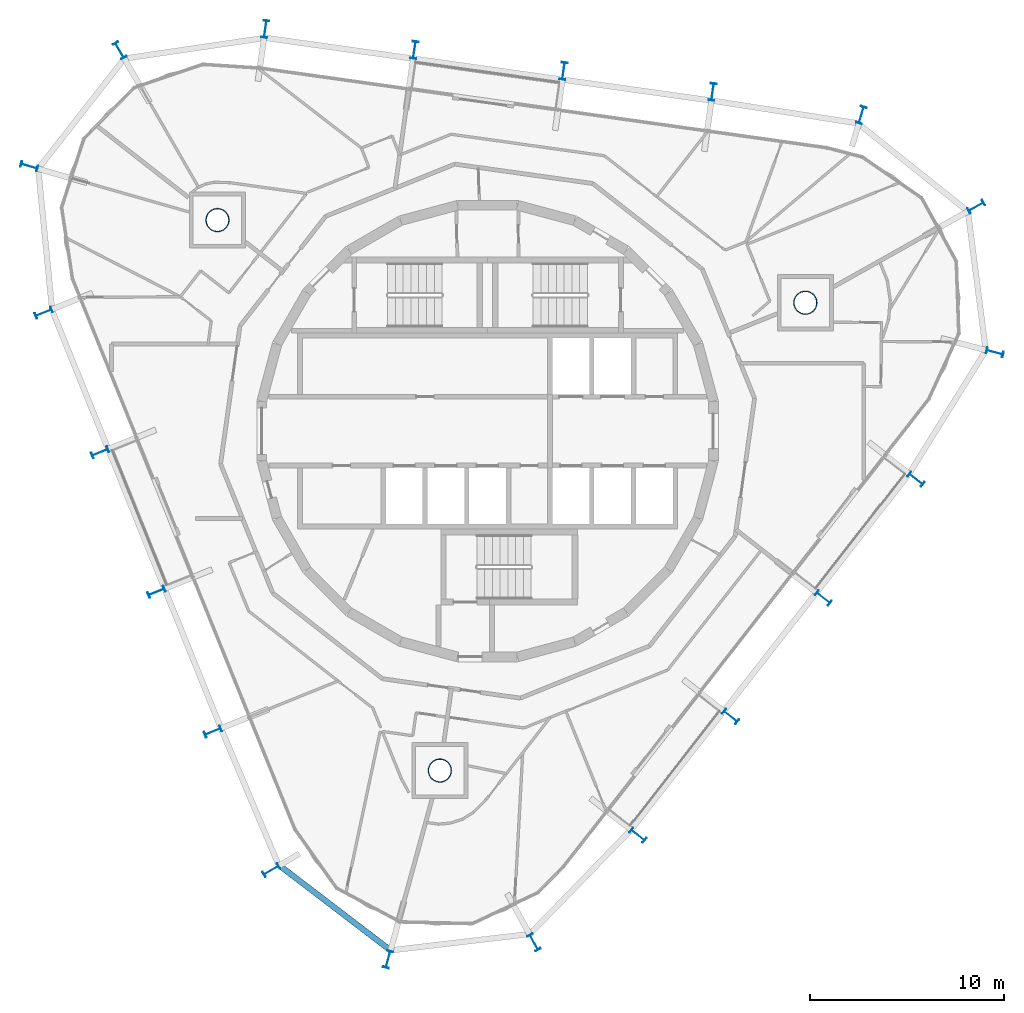
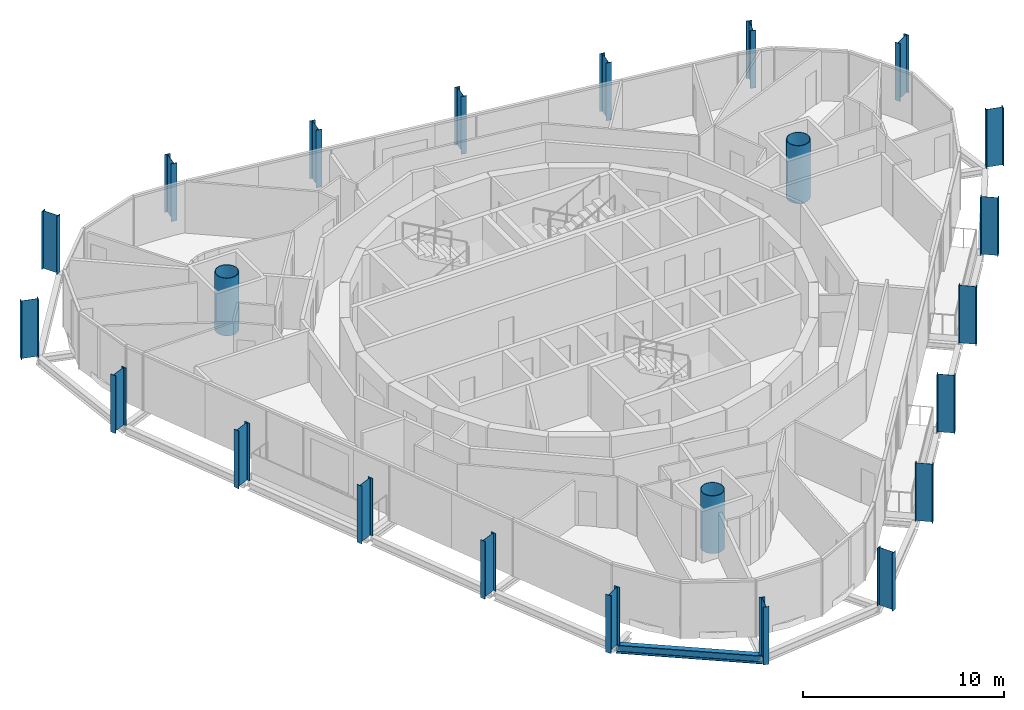
# One storey, part 1 of 15: 23 columns, 1 beam.
"""IFC4 building model written with IfcOpenShell, lengths in metres."""

from ifc_helpers import new_model, si_unit, direction, frame, origin, origin_2d, place, context, subcontext, project, spatial, hollow_circle, i_section, extrude, material, material_profile, profile_set, type_object, element, save


model = new_model("IFC4")

# Units and contexts
model_context = context("Model", 3, precision=1e-05, world=origin(), true_north=direction((0.0, 1.0)))
body_context = subcontext(model_context, "Body", "Model", "MODEL_VIEW")
ifc_project = project(units=[si_unit("LENGTHUNIT", "METRE"), si_unit("AREAUNIT", "SQUARE_METRE"), si_unit("VOLUMEUNIT", "CUBIC_METRE"), si_unit("PLANEANGLEUNIT", "RADIAN"), si_unit("MASSUNIT", "GRAM", prefix="KILO")], contexts=[model_context])

# Site, building, storey
site_placement = place(None, origin())
site = spatial("IfcSite", under=ifc_project, at=site_placement, CompositionType="ELEMENT")
building_placement = place(site_placement, origin())
building = spatial("IfcBuilding", under=site, at=building_placement, Name="Spindle Arch Residences", CompositionType="ELEMENT")
storey_placement = place(building_placement, frame((0.0, 0.0, 354.0)))
storey = spatial("IfcBuildingStorey", under=building, at=storey_placement, Name="L91", CompositionType="ELEMENT", Elevation=354.0)

# Columns
ifc_material_1 = material(Name="Steel S460ML, intumescent coating R 240", Category="steel")
ifc_material_profile_1 = material_profile(ifc_material_1, i_section(OverallWidth=0.300048828125, OverallDepth=0.89990234375, WebThickness=0.0185546875, FlangeThickness=0.034912109375, FilletRadius=0.030029296875, at=origin_2d()), Name="HEB 900")
ifc_profile_set_1 = profile_set([ifc_material_profile_1], Name="Steel S460ML, intumescent coating R 240")
column_type_1 = type_object("IfcColumnType", Name="Exoskeleton post HEB 900", PredefinedType="COLUMN", material=ifc_profile_set_1)
for number, where, z_axis, x_axis, name in (
    (1, (17.314208984375, -8.60009765625, -0.3798828125), (0.0, 0.0, 1.0), (-0.615661060634, -0.788011077599, 0.0), "Exoskeleton post 1"),
    (2, (22.09521484375, -2.480712890625, -0.3798828125), (0.0, 0.0, 1.0), (-0.615661060634, -0.788011077599, 0.0), "Exoskeleton post 2"),
    (3, (26.15869140625, 4.05712890625, -0.3798828125), (0.0, 0.0, 1.0), (-0.253940928912, -0.967219729236, 0.0), "Exoskeleton post 3"),
    (4, (25.19384765625, 11.571044921875, -0.3798828125), (0.0, 0.0, 1.0), (0.490023975195, -0.871708955865, 0.0), "Exoskeleton post 4"),
    (5, (19.27587890625, 16.30078125, -0.3798828125), (0.0, 0.0, 1.0), (0.958298489612, -0.285769146005, 0.0), "Exoskeleton post 5"),
    (6, (11.607421875, 17.4931640625, -0.3798828125), (0.0, 0.0, 1.0), (0.990268081324, -0.139173011432, 0.0), "Exoskeleton post 6"),
    (7, (3.91748046875, 18.573974609375, -0.3798828125), (0.0, 0.0, 1.0), (0.990268081324, -0.139173011432, 0.0), "Exoskeleton post 7"),
    (8, (-3.772705078125, 19.65478515625, -0.3798828125), (0.0, 0.0, 1.0), (0.990268081324, -0.139173011432, 0.0), "Exoskeleton post 8"),
    (9, (-11.462646484375, 20.735595703125, -0.3798828125), (0.0, 0.0, 1.0), (0.990268081324, -0.139173011432, 0.0), "Exoskeleton post 9"),
    (10, (-18.9755859375, 19.632080078125, -0.3798828125), (0.0, 0.0, 1.0), (0.866256848037, 0.499598912358, 0.0), "Exoskeleton post 10"),
    (11, (-23.6396484375, 13.662353515625, -0.3798828125), (0.0, 0.0, 1.0), (0.275193000466, 0.96138900165, 0.0), "Exoskeleton post 11"),
    (12, (-22.892578125, 6.105712890625, -0.3798828125), (0.0, 0.0, 1.0), (-0.374606892434, 0.927183733755, 0.0), "Exoskeleton post 12"),
    (13, (-19.983642578125, -1.094482421875, -0.3798828125), (0.0, 0.0, 1.0), (-0.374606892434, 0.927183733755, 0.0), "Exoskeleton post 13"),
    (14, (-17.07470703125, -8.29443359375, -0.3798828125), (0.0, 0.0, 1.0), (-0.374606892434, 0.927183733755, 0.0), "Exoskeleton post 14"),
    (15, (-14.16552734375, -15.49462890625, -0.3798828125), (0.0, 0.0, 1.0), (-0.374606892434, 0.927183733755, 0.0), "Exoskeleton post 15"),
    (16, (-11.1533203125, -22.64697265625, -0.3798828125), (0.0, 0.0, 1.0), (-0.509114042361, 0.86069907161, 0.0), "Exoskeleton post 16"),
    (17, (-5.13232421875, -27.244873046875, -0.3798828125), (0.0, 0.0, 1.0), (-0.964362923017, 0.264582978873, 0.0), "Exoskeleton post 17"),
    (18, (2.391845703125, -26.363037109375, -0.3798828125), (0.0, 0.0, 1.0), (-0.877055410309, -0.480389224741, 0.0), "Exoskeleton post 18"),
    (19, (7.752197265625, -20.838623046875, -0.3798828125), (0.0, 0.0, 1.0), (-0.615661060634, -0.788011077599, 0.0), "Exoskeleton post 19"),
    (20, (12.533203125, -14.71923828125, -0.3798828125), (0.0, 0.0, 1.0), (-0.615661060634, -0.788011077599, 0.0), "Exoskeleton post 20"),
):
    element("IfcColumn", number, at=place(storey_placement, frame(where, z_axis=z_axis, x_axis=x_axis)), inside=storey, type_object=column_type_1, Name=name, PredefinedType="COLUMN", context=body_context, shape_type="SweptSolid", body=[
        extrude(i_section(OverallWidth=0.300048828125, OverallDepth=0.89990234375, WebThickness=0.0185546875, FlangeThickness=0.034912109375, FilletRadius=0.030029296875, at=origin_2d()), origin(), (0.0, 0.0, 1.0), 3.5),
    ])
ifc_material_2 = material(Name="Concrete C50/60 filled steel tube S460ML, intumescent coating R 240", Category="concrete")
ifc_material_profile_2 = material_profile(ifc_material_2, hollow_circle(Radius=0.60009765625, WallThickness=0.030029296875, at=origin_2d()), Name="CFT D1200x30")
ifc_profile_set_2 = profile_set([ifc_material_profile_2], Name="Concrete C50/60 filled steel tube S460ML, intumescent coating R 240")
column_type_2 = type_object("IfcColumnType", Name="Mega-column CFT D1200x30", PredefinedType="COLUMN", material=ifc_profile_set_2)
for number, where, z_axis, x_axis, name in (
    (21, (16.3896484375, 6.621826171875, -0.3798828125), (0.0, 0.0, 1.0), (1.0, 0.0, 0.0), "Mega-column 1"),
    (22, (-13.929443359375, 10.883056640625, -0.3798828125), (0.0, 0.0, 1.0), (1.0, 0.0, 0.0), "Mega-column 2"),
    (23, (-2.460205078125, -17.5048828125, -0.3798828125), (0.0, 0.0, 1.0), (1.0, 0.0, 0.0), "Mega-column 3"),
):
    element("IfcColumn", number, at=place(storey_placement, frame(where, z_axis=z_axis, x_axis=x_axis)), inside=storey, type_object=column_type_2, Name=name, PredefinedType="COLUMN", context=body_context, shape_type="SweptSolid", body=[
        extrude(hollow_circle(Radius=0.60009765625, WallThickness=0.030029296875, at=origin_2d()), origin(), (0.0, 0.0, 1.0), 3.5),
    ])

# Beam
ifc_material_3 = material(Name="Steel S460ML, intumescent coating R 120", Category="steel")
ifc_material_profile_3 = material_profile(ifc_material_3, i_section(OverallWidth=0.300048828125, OverallDepth=0.5, WebThickness=0.014404296875, FlangeThickness=0.028076171875, FilletRadius=0.027099609375, at=origin_2d()), Name="HEB 500")
ifc_profile_set_3 = profile_set([ifc_material_profile_3], Name="Steel S460ML, intumescent coating R 120")
beam_type = type_object("IfcBeamType", Name="Exoskeleton edge beam HEB 500", PredefinedType="BEAM", material=ifc_profile_set_3)
beam_placement = place(storey_placement, frame((-10.77685546875, -22.3681640625, -0.6298828125), z_axis=(0.794751716533, -0.606934682703, 0.0), x_axis=(0.606934682703, 0.794751716533, 0.0)))
element("IfcBeam", 24, at=beam_placement, inside=storey, type_object=beam_type, Name="Exoskeleton edge beam 16", PredefinedType="BEAM", context=body_context, shape_type="SweptSolid", body=[
    extrude(i_section(OverallWidth=0.300048828125, OverallDepth=0.5, WebThickness=0.014404296875, FlangeThickness=0.028076171875, FilletRadius=0.027099609375, at=origin_2d()), origin(), (0.0, 0.0, 1.0), 7.315673828125),
])

save(model, "model.ifc")
